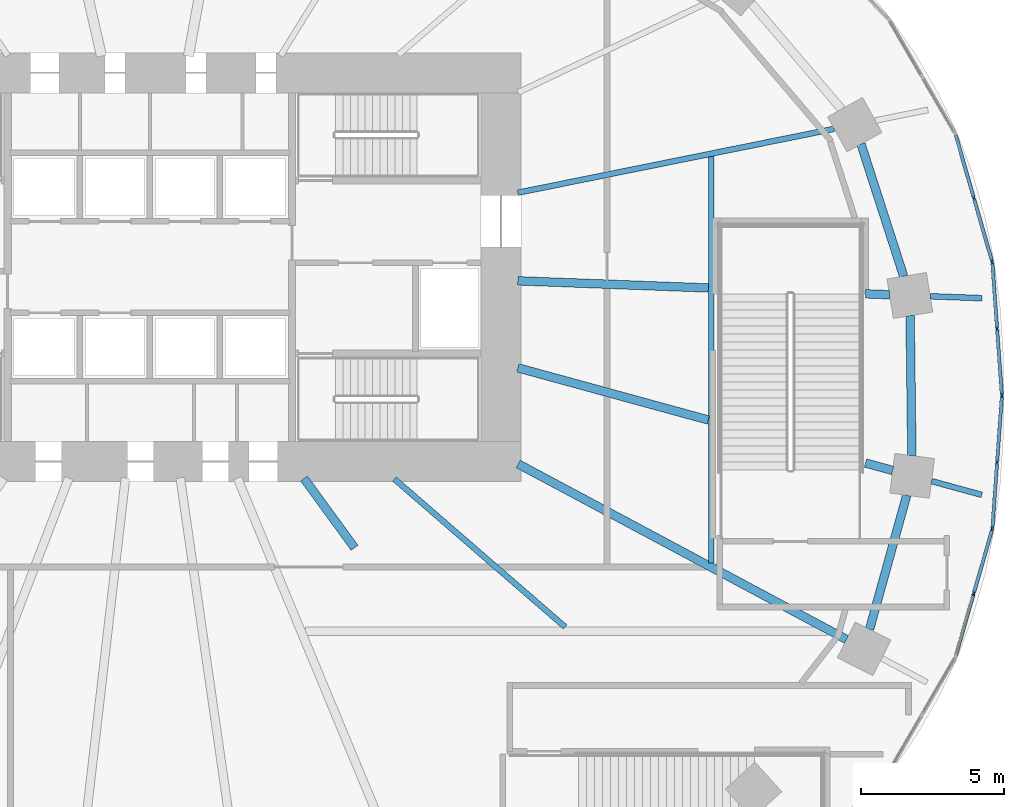
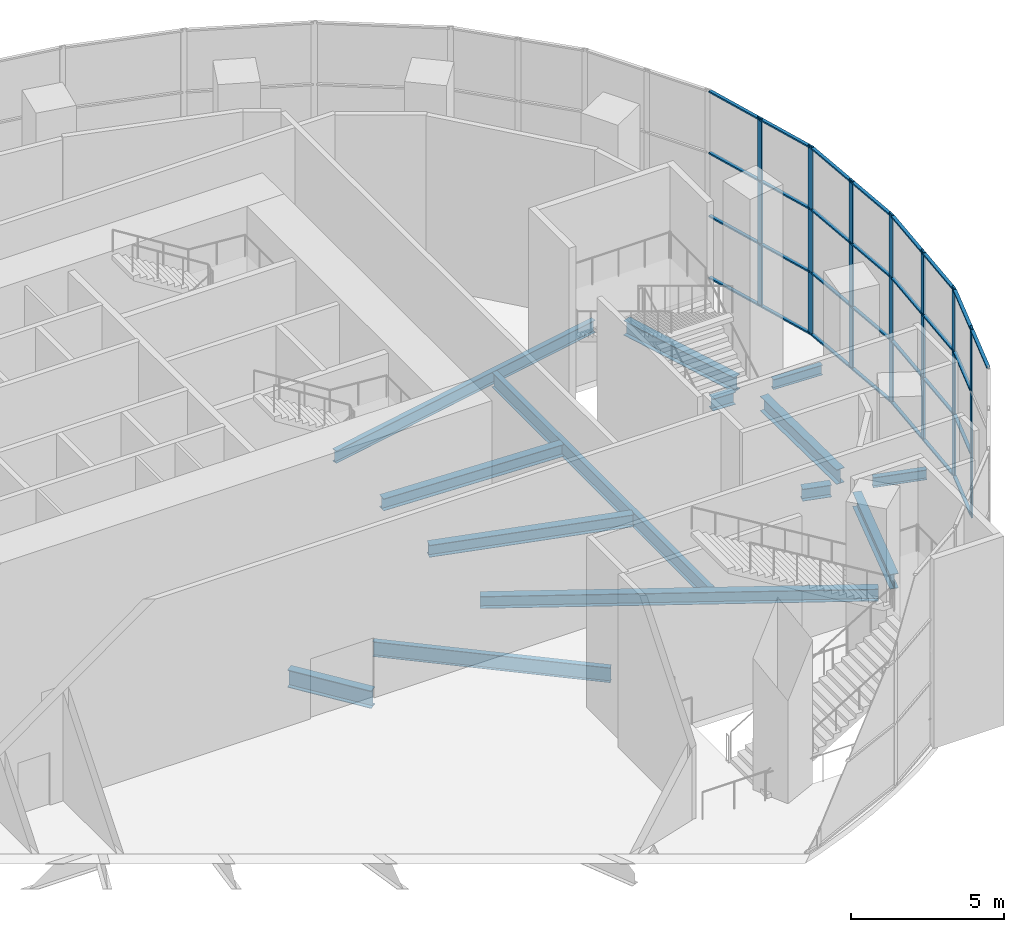
# One storey, part 6 of 22: 36 members, 14 beams, 4 elements without a shape of their own.
"""IFC4 building model written with IfcOpenShell, lengths in metres."""

from ifc_helpers import new_model, si_unit, direction, frame, origin, origin_2d, place, context, subcontext, project, spatial, rectangle, i_section, extrude, material, material_profile, profile_set, type_object, element, aggregate, save


model = new_model("IFC4")

# Units and contexts
model_context = context("Model", 3, precision=1e-05, world=origin(), true_north=direction((0.0, 1.0)))
body_context = subcontext(model_context, "Body", "Model", "MODEL_VIEW")
ifc_project = project(units=[si_unit("LENGTHUNIT", "METRE"), si_unit("AREAUNIT", "SQUARE_METRE"), si_unit("VOLUMEUNIT", "CUBIC_METRE"), si_unit("PLANEANGLEUNIT", "RADIAN"), si_unit("MASSUNIT", "GRAM", prefix="KILO")], contexts=[model_context])

# Site, building, storey
site_placement = place(None, origin())
site = spatial("IfcSite", under=ifc_project, at=site_placement, CompositionType="ELEMENT")
building_placement = place(site_placement, origin())
building = spatial("IfcBuilding", under=site, at=building_placement, Name="Rubra Terraces Tower", CompositionType="ELEMENT")
storey_placement = place(building_placement, frame((0.0, 0.0, 15.0)))
storey = spatial("IfcBuildingStorey", under=building, at=storey_placement, Name="L02", CompositionType="ELEMENT", Elevation=15.0)

# Beams
ifc_material_1 = material(Name="Steel Q355B", Category="steel")
ifc_material_profile_1 = material_profile(ifc_material_1, i_section(OverallWidth=0.199951171875, OverallDepth=0.39990234375, WebThickness=0.008056640625, FlangeThickness=0.012939453125, at=origin_2d()), Name="HN 400x200x8x13")
ifc_profile_set_1 = profile_set([ifc_material_profile_1], Name="Steel Q355B")
beam_type_1 = type_object("IfcBeamType", Name="CANTILEVER BEAM HN 400x200x8x13", PredefinedType="BEAM", material=ifc_profile_set_1)
beam_1_placement = place(storey_placement, frame((27.319091796875, 3.47607421875, -0.449951171875), z_axis=(0.999296482656, -0.037503863151, 0.0), x_axis=(0.037503863151, 0.999296482656, 0.0)))
element("IfcBeam", 1, at=beam_1_placement, inside=storey, type_object=beam_type_1, Name="beam-L02-cant-01", PredefinedType="BEAM", context=body_context, shape_type="SweptSolid", body=[
    extrude(i_section(OverallWidth=0.199951171875, OverallDepth=0.39990234375, WebThickness=0.008056640625, FlangeThickness=0.012939453125, at=origin_2d()), origin(), (0.0, 0.0, 1.0), 1.816162109375),
])
beam_2_placement = place(storey_placement, frame((27.365966796875, -2.9951171875, -0.449951171875), z_axis=(0.964481687863, -0.264149718489, 0.0), x_axis=(0.264149718489, 0.964481687863, 0.0)))
element("IfcBeam", 2, at=beam_2_placement, inside=storey, type_object=beam_type_1, Name="beam-L02-cant-24", PredefinedType="BEAM", context=body_context, shape_type="SweptSolid", body=[
    extrude(i_section(OverallWidth=0.199951171875, OverallDepth=0.39990234375, WebThickness=0.008056640625, FlangeThickness=0.012939453125, at=origin_2d()), origin(), (0.0, 0.0, 1.0), 1.82080078125),
])
ifc_material_profile_2 = material_profile(ifc_material_1, i_section(OverallWidth=0.300048828125, OverallDepth=0.48193359375, WebThickness=0.010986328125, FlangeThickness=0.014892578125, at=origin_2d()), Name="HM 482x300x11x15")
ifc_profile_set_2 = profile_set([ifc_material_profile_2], Name="Steel Q355B")
beam_type_2 = type_object("IfcBeamType", Name="FLOOR BEAM HM 482x300x11x15", PredefinedType="BEAM", material=ifc_profile_set_2)
beam_3_placement = place(storey_placement, frame((25.89111328125, 3.530029296875, -0.490966796875), z_axis=(-0.999321176912, 0.036839996943, 0.0), x_axis=(-0.036839996943, -0.999321176912, 0.0)))
element("IfcBeam", 3, at=beam_3_placement, inside=storey, type_object=beam_type_2, Name="beam-L02-floor-01-a", PredefinedType="BEAM", context=body_context, shape_type="SweptSolid", body=[
    extrude(i_section(OverallWidth=0.300048828125, OverallDepth=0.48193359375, WebThickness=0.010986328125, FlangeThickness=0.014892578125, at=origin_2d()), origin(), (0.0, 0.0, 1.0), 0.841552734375),
])
beam_4_placement = place(storey_placement, frame((19.550048828125, 3.76708984375, -0.490966796875), z_axis=(-0.99929835172, 0.037454028482, 0.0), x_axis=(-0.037454028482, -0.99929835172, 0.0)))
element("IfcBeam", 4, at=beam_4_placement, inside=storey, type_object=beam_type_2, Name="beam-L02-floor-01-b", PredefinedType="BEAM", context=body_context, shape_type="SweptSolid", body=[
    extrude(i_section(OverallWidth=0.300048828125, OverallDepth=0.48193359375, WebThickness=0.010986328125, FlangeThickness=0.014892578125, at=origin_2d()), origin(), (0.0, 0.0, 1.0), 6.6748046875),
])
beam_5_placement = place(storey_placement, frame((24.385009765625, -8.535888671875, -0.490966796875), z_axis=(-0.881896613876, 0.471442851716, 0.0), x_axis=(-0.471442851716, -0.881896613876, 0.0)))
element("IfcBeam", 5, at=beam_5_placement, inside=storey, type_object=beam_type_2, Name="beam-L02-floor-23", PredefinedType="BEAM", context=body_context, shape_type="SweptSolid", body=[
    extrude(i_section(OverallWidth=0.300048828125, OverallDepth=0.48193359375, WebThickness=0.010986328125, FlangeThickness=0.014892578125, at=origin_2d()), origin(), (0.0, 0.0, 1.0), 13.02978515625),
])
beam_6_placement = place(storey_placement, frame((26.001953125, -2.62109375, -0.490966796875), z_axis=(-0.964409050959, 0.264414792376, 0.0), x_axis=(-0.264414792376, -0.964409050959, 0.0)))
element("IfcBeam", 6, at=beam_6_placement, inside=storey, type_object=beam_type_2, Name="beam-L02-floor-24-a", PredefinedType="BEAM", context=body_context, shape_type="SweptSolid", body=[
    extrude(i_section(OverallWidth=0.300048828125, OverallDepth=0.48193359375, WebThickness=0.010986328125, FlangeThickness=0.014892578125, at=origin_2d()), origin(), (0.0, 0.0, 1.0), 0.987060546875),
])
beam_7_placement = place(storey_placement, frame((19.550048828125, -0.85498046875, -0.490966796875), z_axis=(-0.96447222005, 0.26418428559, 0.0), x_axis=(-0.26418428559, -0.96447222005, 0.0)))
element("IfcBeam", 7, at=beam_7_placement, inside=storey, type_object=beam_type_2, Name="beam-L02-floor-24-b", PredefinedType="BEAM", context=body_context, shape_type="SweptSolid", body=[
    extrude(i_section(OverallWidth=0.300048828125, OverallDepth=0.48193359375, WebThickness=0.010986328125, FlangeThickness=0.014892578125, at=origin_2d()), origin(), (0.0, 0.0, 1.0), 6.91162109375),
])
ifc_material_profile_3 = material_profile(ifc_material_1, i_section(OverallWidth=0.198974609375, OverallDepth=0.49609375, WebThickness=0.009033203125, FlangeThickness=0.013916015625, at=origin_2d()), Name="HN 496x199x9x14")
ifc_profile_set_3 = profile_set([ifc_material_profile_3], Name="Steel Q355B")
beam_type_3 = type_object("IfcBeamType", Name="FLOOR BEAM HN 496x199x9x14", PredefinedType="BEAM", material=ifc_profile_set_3)
beam_8_placement = place(storey_placement, frame((23.9560546875, 9.337890625, -0.498046875), z_axis=(-0.980204035637, -0.197990021264, 0.0), x_axis=(0.197990021264, -0.980204035637, 0.0)))
element("IfcBeam", 8, at=beam_8_placement, inside=storey, type_object=beam_type_3, Name="beam-L02-floor-02", PredefinedType="BEAM", context=body_context, shape_type="SweptSolid", body=[
    extrude(i_section(OverallWidth=0.198974609375, OverallDepth=0.49609375, WebThickness=0.009033203125, FlangeThickness=0.013916015625, at=origin_2d()), origin(), (0.0, 0.0, 1.0), 11.297607421875),
])
ifc_material_profile_4 = material_profile(ifc_material_1, i_section(OverallWidth=0.198974609375, OverallDepth=0.595947265625, WebThickness=0.010009765625, FlangeThickness=0.014892578125, at=origin_2d()), Name="HN 596x199x10x15")
ifc_profile_set_4 = profile_set([ifc_material_profile_4], Name="Steel Q355B")
beam_type_4 = type_object("IfcBeamType", Name="FLOOR BEAM HN 596x199x10x15", PredefinedType="BEAM", material=ifc_profile_set_4)
beam_9_placement = place(storey_placement, frame((14.5390625, -8.10009765625, -0.548095703125), z_axis=(-0.755693157297, 0.654925837033, 0.0), x_axis=(-0.654925837033, -0.755693157297, 0.0)))
element("IfcBeam", 9, at=beam_9_placement, inside=storey, type_object=beam_type_4, Name="beam-L02-floor-22-a", PredefinedType="BEAM", context=body_context, shape_type="SweptSolid", body=[
    extrude(i_section(OverallWidth=0.198974609375, OverallDepth=0.595947265625, WebThickness=0.010009765625, FlangeThickness=0.014892578125, at=origin_2d()), origin(), (0.0, 0.0, 1.0), 7.907958984375),
])
ifc_material_profile_5 = material_profile(ifc_material_1, i_section(OverallWidth=0.300048828125, OverallDepth=0.699951171875, WebThickness=0.012939453125, FlangeThickness=0.02392578125, at=origin_2d()), Name="HN 700x300x13x24")
ifc_profile_set_5 = profile_set([ifc_material_profile_5], Name="Steel Q355B")
beam_type_5 = type_object("IfcBeamType", Name="FLOOR BEAM HN 700x300x13x24", PredefinedType="BEAM", material=ifc_profile_set_5)
beam_10_placement = place(storey_placement, frame((7.1669921875, -5.326904296875, -0.60009765625), z_axis=(-0.589322677246, 0.807897754722, 0.0), x_axis=(-0.807897754722, -0.589322677246, 0.0)))
element("IfcBeam", 10, at=beam_10_placement, inside=storey, type_object=beam_type_5, Name="beam-L02-floor-21-a", PredefinedType="BEAM", context=body_context, shape_type="SweptSolid", body=[
    extrude(i_section(OverallWidth=0.300048828125, OverallDepth=0.699951171875, WebThickness=0.012939453125, FlangeThickness=0.02392578125, at=origin_2d()), origin(), (0.0, 0.0, 1.0), 3.000244140625),
])

# Curtain wall, members
ifc_material_2 = material(Name="Aluminium and glass", Category="aluminium")
curtain_wall_type = type_object("IfcCurtainWallType", Name="Curtain wall Podium glazing", PredefinedType="NOTDEFINED", material=ifc_material_2)
curtain_wall_1_placement = place(storey_placement, origin())
curtain_wall_1 = element("IfcCurtainWall", 11, at=curtain_wall_1_placement, inside=storey, type_object=curtain_wall_type, Name="L02 glazing bay 1", PredefinedType="NOTDEFINED")
ifc_material_3 = material(Name="Aluminium, anodised dark grey", Category="aluminium")
ifc_material_profile_6 = material_profile(ifc_material_3, rectangle(XDim=0.06005859375, YDim=0.199951171875, at=origin_2d()), Name="AL 60x200")
ifc_profile_set_6 = profile_set([ifc_material_profile_6], Name="Aluminium, anodised dark grey")
member_type_1 = type_object("IfcMemberType", Name="Podium glazing mullion 60 x 200", PredefinedType="MULLION", material=ifc_profile_set_6)
member_1_placement = place(storey_placement, frame((29.822998046875, 0.0244140625, 0.0), z_axis=(0.0, 0.0, 1.0), x_axis=(-0.997419621076, -0.071792057306, 0.0)))
member_1 = element("IfcMember", 12, at=member_1_placement, type_object=member_type_1, Name="CW1 mullion 1", PredefinedType="MULLION", context=body_context, shape_type="SweptSolid", body=[
    extrude(rectangle(XDim=0.06005859375, YDim=0.199951171875, at=origin_2d()), origin(), (0.0, 0.0, 1.0), 7.550048828125),
])
member_2_placement = place(storey_placement, frame((29.65673828125, 2.335693359375, 0.0), z_axis=(0.0, 0.0, 1.0), x_axis=(-0.997419621076, -0.071792057306, 0.0)))
member_2 = element("IfcMember", 13, at=member_2_placement, type_object=member_type_1, Name="CW1 mullion 2", PredefinedType="MULLION", context=body_context, shape_type="SweptSolid", body=[
    extrude(rectangle(XDim=0.06005859375, YDim=0.199951171875, at=origin_2d()), origin(), (0.0, 0.0, 1.0), 7.550048828125),
])

curtain_wall_2_placement = place(storey_placement, origin())
curtain_wall_2 = element("IfcCurtainWall", 14, at=curtain_wall_2_placement, inside=storey, type_object=curtain_wall_type, Name="L02 glazing bay 2", PredefinedType="NOTDEFINED")
member_3_placement = place(storey_placement, frame((29.482666015625, 4.690185546875, 0.0), z_axis=(0.0, 0.0, 1.0), x_axis=(-0.961047339404, -0.276383811798, 0.0)))
member_3 = element("IfcMember", 15, at=member_3_placement, type_object=member_type_1, Name="CW1 mullion 1", PredefinedType="MULLION", context=body_context, shape_type="SweptSolid", body=[
    extrude(rectangle(XDim=0.06005859375, YDim=0.199951171875, at=origin_2d()), origin(), (0.0, 0.0, 1.0), 7.550048828125),
])
member_4_placement = place(storey_placement, frame((28.843505859375, 6.912841796875, 0.0), z_axis=(0.0, 0.0, 1.0), x_axis=(-0.961047339404, -0.276383811798, 0.0)))
member_4 = element("IfcMember", 16, at=member_4_placement, type_object=member_type_1, Name="CW1 mullion 2", PredefinedType="MULLION", context=body_context, shape_type="SweptSolid", body=[
    extrude(rectangle(XDim=0.06005859375, YDim=0.199951171875, at=origin_2d()), origin(), (0.0, 0.0, 1.0), 7.550048828125),
])

# Curtain wall, member
curtain_wall_3_placement = place(storey_placement, origin())
curtain_wall_3 = element("IfcCurtainWall", 17, at=curtain_wall_3_placement, inside=storey, type_object=curtain_wall_type, Name="L02 glazing bay 39", PredefinedType="NOTDEFINED")
member_5_placement = place(storey_placement, frame((28.843505859375, -6.912841796875, 0.0), z_axis=(0.0, 0.0, 1.0), x_axis=(-0.961047339404, 0.276383811798, 0.0)))
member_5 = element("IfcMember", 18, at=member_5_placement, type_object=member_type_1, Name="CW1 mullion 2", PredefinedType="MULLION", context=body_context, shape_type="SweptSolid", body=[
    extrude(rectangle(XDim=0.06005859375, YDim=0.199951171875, at=origin_2d()), origin(), (0.0, 0.0, 1.0), 7.550048828125),
])

# Curtain wall, members
curtain_wall_4_placement = place(storey_placement, origin())
curtain_wall_4 = element("IfcCurtainWall", 19, at=curtain_wall_4_placement, inside=storey, type_object=curtain_wall_type, Name="L02 glazing bay 40", PredefinedType="NOTDEFINED")
member_6_placement = place(storey_placement, frame((29.490234375, -4.646728515625, 0.0), z_axis=(0.0, 0.0, 1.0), x_axis=(-0.997419621076, 0.071792057306, 0.0)))
member_6 = element("IfcMember", 20, at=member_6_placement, type_object=member_type_1, Name="CW1 mullion 1", PredefinedType="MULLION", context=body_context, shape_type="SweptSolid", body=[
    extrude(rectangle(XDim=0.06005859375, YDim=0.199951171875, at=origin_2d()), origin(), (0.0, 0.0, 1.0), 7.550048828125),
])
member_7_placement = place(storey_placement, frame((29.65673828125, -2.335693359375, 0.0), z_axis=(0.0, 0.0, 1.0), x_axis=(-0.997419621076, 0.071792057306, 0.0)))
member_7 = element("IfcMember", 21, at=member_7_placement, type_object=member_type_1, Name="CW1 mullion 2", PredefinedType="MULLION", context=body_context, shape_type="SweptSolid", body=[
    extrude(rectangle(XDim=0.06005859375, YDim=0.199951171875, at=origin_2d()), origin(), (0.0, 0.0, 1.0), 7.550048828125),
])

# Member
ifc_material_profile_7 = material_profile(ifc_material_3, rectangle(XDim=0.1201171875, YDim=0.06005859375, at=origin_2d()), Name="AL 120x60")
ifc_profile_set_7 = profile_set([ifc_material_profile_7], Name="Aluminium, anodised dark grey")
member_type_2 = type_object("IfcMemberType", Name="Podium glazing transom 120 x 60", PredefinedType="USERDEFINED", material=ifc_profile_set_7)
member_8_placement = place(storey_placement, frame((29.82080078125, 0.054443359375, 0.06005859375), z_axis=(-0.071715956886, 0.997425095698, 0.0), x_axis=(-0.997425095698, -0.071715956886, 0.0)))
member_8 = element("IfcMember", 22, at=member_8_placement, type_object=member_type_2, Name="CW1 transom 1.1", ObjectType="TRANSOM", PredefinedType="USERDEFINED", context=body_context, shape_type="SweptSolid", body=[
    extrude(rectangle(XDim=0.1201171875, YDim=0.06005859375, at=origin_2d()), origin(), (0.0, 0.0, 1.0), 2.257080078125),
])

member_9_placement = place(storey_placement, frame((29.82080078125, 0.054443359375, 2.5166015625), z_axis=(-0.071715956886, 0.997425095698, 0.0), x_axis=(-0.997425095698, -0.071715956886, 0.0)))
member_9 = element("IfcMember", 23, at=member_9_placement, type_object=member_type_2, Name="CW1 transom 1.2", ObjectType="TRANSOM", PredefinedType="USERDEFINED", context=body_context, shape_type="SweptSolid", body=[
    extrude(rectangle(XDim=0.1201171875, YDim=0.06005859375, at=origin_2d()), origin(), (0.0, 0.0, 1.0), 2.257080078125),
])

member_10_placement = place(storey_placement, frame((29.82080078125, 0.054443359375, 5.033203125), z_axis=(-0.071715956886, 0.997425095698, 0.0), x_axis=(-0.997425095698, -0.071715956886, 0.0)))
member_10 = element("IfcMember", 24, at=member_10_placement, type_object=member_type_2, Name="CW1 transom 1.3", ObjectType="TRANSOM", PredefinedType="USERDEFINED", context=body_context, shape_type="SweptSolid", body=[
    extrude(rectangle(XDim=0.1201171875, YDim=0.06005859375, at=origin_2d()), origin(), (0.0, 0.0, 1.0), 2.257080078125),
])

member_11_placement = place(storey_placement, frame((29.82080078125, 0.054443359375, 7.489990234375), z_axis=(-0.071715956886, 0.997425095698, 0.0), x_axis=(-0.997425095698, -0.071715956886, 0.0)))
member_11 = element("IfcMember", 25, at=member_11_placement, type_object=member_type_2, Name="CW1 transom 1.4", ObjectType="TRANSOM", PredefinedType="USERDEFINED", context=body_context, shape_type="SweptSolid", body=[
    extrude(rectangle(XDim=0.1201171875, YDim=0.06005859375, at=origin_2d()), origin(), (0.0, 0.0, 1.0), 2.257080078125),
])

member_12_placement = place(storey_placement, frame((29.654541015625, 2.365478515625, 0.06005859375), z_axis=(-0.071823568166, 0.997417352494, 0.0), x_axis=(-0.997417352494, -0.071823568166, 0.0)))
member_12 = element("IfcMember", 26, at=member_12_placement, type_object=member_type_2, Name="CW1 transom 2.1", ObjectType="TRANSOM", PredefinedType="USERDEFINED", context=body_context, shape_type="SweptSolid", body=[
    extrude(rectangle(XDim=0.1201171875, YDim=0.06005859375, at=origin_2d()), origin(), (0.0, 0.0, 1.0), 2.257080078125),
])

member_13_placement = place(storey_placement, frame((29.654541015625, 2.365478515625, 2.5166015625), z_axis=(-0.071823568166, 0.997417352494, 0.0), x_axis=(-0.997417352494, -0.071823568166, 0.0)))
member_13 = element("IfcMember", 27, at=member_13_placement, type_object=member_type_2, Name="CW1 transom 2.2", ObjectType="TRANSOM", PredefinedType="USERDEFINED", context=body_context, shape_type="SweptSolid", body=[
    extrude(rectangle(XDim=0.1201171875, YDim=0.06005859375, at=origin_2d()), origin(), (0.0, 0.0, 1.0), 2.257080078125),
])

member_14_placement = place(storey_placement, frame((29.654541015625, 2.365478515625, 5.033203125), z_axis=(-0.071823568166, 0.997417352494, 0.0), x_axis=(-0.997417352494, -0.071823568166, 0.0)))
member_14 = element("IfcMember", 28, at=member_14_placement, type_object=member_type_2, Name="CW1 transom 2.3", ObjectType="TRANSOM", PredefinedType="USERDEFINED", context=body_context, shape_type="SweptSolid", body=[
    extrude(rectangle(XDim=0.1201171875, YDim=0.06005859375, at=origin_2d()), origin(), (0.0, 0.0, 1.0), 2.257080078125),
])

member_15_placement = place(storey_placement, frame((29.654541015625, 2.365478515625, 7.489990234375), z_axis=(-0.071823568166, 0.997417352494, 0.0), x_axis=(-0.997417352494, -0.071823568166, 0.0)))
member_15 = element("IfcMember", 29, at=member_15_placement, type_object=member_type_2, Name="CW1 transom 2.4", ObjectType="TRANSOM", PredefinedType="USERDEFINED", context=body_context, shape_type="SweptSolid", body=[
    extrude(rectangle(XDim=0.1201171875, YDim=0.06005859375, at=origin_2d()), origin(), (0.0, 0.0, 1.0), 2.257080078125),
])

aggregate(curtain_wall_1, [member_1, member_2, member_8, member_9, member_10, member_11, member_12, member_13, member_14, member_15])

member_16_placement = place(storey_placement, frame((29.474365234375, 4.718994140625, 0.06005859375), z_axis=(-0.276352469421, 0.961056352481, 0.0), x_axis=(-0.961056352481, -0.276352469421, 0.0)))
member_16 = element("IfcMember", 30, at=member_16_placement, type_object=member_type_2, Name="CW1 transom 1.1", ObjectType="TRANSOM", PredefinedType="USERDEFINED", context=body_context, shape_type="SweptSolid", body=[
    extrude(rectangle(XDim=0.1201171875, YDim=0.06005859375, at=origin_2d()), origin(), (0.0, 0.0, 1.0), 2.252685546875),
])

member_17_placement = place(storey_placement, frame((29.474365234375, 4.718994140625, 2.5166015625), z_axis=(-0.276352469421, 0.961056352481, 0.0), x_axis=(-0.961056352481, -0.276352469421, 0.0)))
member_17 = element("IfcMember", 31, at=member_17_placement, type_object=member_type_2, Name="CW1 transom 1.2", ObjectType="TRANSOM", PredefinedType="USERDEFINED", context=body_context, shape_type="SweptSolid", body=[
    extrude(rectangle(XDim=0.1201171875, YDim=0.06005859375, at=origin_2d()), origin(), (0.0, 0.0, 1.0), 2.252685546875),
])

member_18_placement = place(storey_placement, frame((29.474365234375, 4.718994140625, 5.033203125), z_axis=(-0.276352469421, 0.961056352481, 0.0), x_axis=(-0.961056352481, -0.276352469421, 0.0)))
member_18 = element("IfcMember", 32, at=member_18_placement, type_object=member_type_2, Name="CW1 transom 1.3", ObjectType="TRANSOM", PredefinedType="USERDEFINED", context=body_context, shape_type="SweptSolid", body=[
    extrude(rectangle(XDim=0.1201171875, YDim=0.06005859375, at=origin_2d()), origin(), (0.0, 0.0, 1.0), 2.252685546875),
])

member_19_placement = place(storey_placement, frame((29.474365234375, 4.718994140625, 7.489990234375), z_axis=(-0.276352469421, 0.961056352481, 0.0), x_axis=(-0.961056352481, -0.276352469421, 0.0)))
member_19 = element("IfcMember", 33, at=member_19_placement, type_object=member_type_2, Name="CW1 transom 1.4", ObjectType="TRANSOM", PredefinedType="USERDEFINED", context=body_context, shape_type="SweptSolid", body=[
    extrude(rectangle(XDim=0.1201171875, YDim=0.06005859375, at=origin_2d()), origin(), (0.0, 0.0, 1.0), 2.252685546875),
])

member_20_placement = place(storey_placement, frame((28.835205078125, 6.941650390625, 0.06005859375), z_axis=(-0.276452561882, 0.961027565177, 0.0), x_axis=(-0.961027565177, -0.276452561882, 0.0)))
member_20 = element("IfcMember", 34, at=member_20_placement, type_object=member_type_2, Name="CW1 transom 2.1", ObjectType="TRANSOM", PredefinedType="USERDEFINED", context=body_context, shape_type="SweptSolid", body=[
    extrude(rectangle(XDim=0.1201171875, YDim=0.06005859375, at=origin_2d()), origin(), (0.0, 0.0, 1.0), 2.2529296875),
])

member_21_placement = place(storey_placement, frame((28.835205078125, 6.941650390625, 2.5166015625), z_axis=(-0.276452561882, 0.961027565177, 0.0), x_axis=(-0.961027565177, -0.276452561882, 0.0)))
member_21 = element("IfcMember", 35, at=member_21_placement, type_object=member_type_2, Name="CW1 transom 2.2", ObjectType="TRANSOM", PredefinedType="USERDEFINED", context=body_context, shape_type="SweptSolid", body=[
    extrude(rectangle(XDim=0.1201171875, YDim=0.06005859375, at=origin_2d()), origin(), (0.0, 0.0, 1.0), 2.2529296875),
])

member_22_placement = place(storey_placement, frame((28.835205078125, 6.941650390625, 5.033203125), z_axis=(-0.276452561882, 0.961027565177, 0.0), x_axis=(-0.961027565177, -0.276452561882, 0.0)))
member_22 = element("IfcMember", 36, at=member_22_placement, type_object=member_type_2, Name="CW1 transom 2.3", ObjectType="TRANSOM", PredefinedType="USERDEFINED", context=body_context, shape_type="SweptSolid", body=[
    extrude(rectangle(XDim=0.1201171875, YDim=0.06005859375, at=origin_2d()), origin(), (0.0, 0.0, 1.0), 2.2529296875),
])

member_23_placement = place(storey_placement, frame((28.835205078125, 6.941650390625, 7.489990234375), z_axis=(-0.276452561882, 0.961027565177, 0.0), x_axis=(-0.961027565177, -0.276452561882, 0.0)))
member_23 = element("IfcMember", 37, at=member_23_placement, type_object=member_type_2, Name="CW1 transom 2.4", ObjectType="TRANSOM", PredefinedType="USERDEFINED", context=body_context, shape_type="SweptSolid", body=[
    extrude(rectangle(XDim=0.1201171875, YDim=0.06005859375, at=origin_2d()), origin(), (0.0, 0.0, 1.0), 2.2529296875),
])

aggregate(curtain_wall_2, [member_3, member_4, member_16, member_17, member_18, member_19, member_20, member_21, member_22, member_23])

member_24_placement = place(storey_placement, frame((28.21240234375, -9.106689453125, 7.489990234375), z_axis=(0.276452561882, 0.961027565177, 0.0), x_axis=(-0.961027565177, 0.276452561882, 0.0)))
member_24 = element("IfcMember", 38, at=member_24_placement, type_object=member_type_2, Name="CW1 transom 1.4", ObjectType="TRANSOM", PredefinedType="USERDEFINED", context=body_context, shape_type="SweptSolid", body=[
    extrude(rectangle(XDim=0.1201171875, YDim=0.06005859375, at=origin_2d()), origin(), (0.0, 0.0, 1.0), 2.2529296875),
])

member_25_placement = place(storey_placement, frame((28.851806640625, -6.884033203125, 0.06005859375), z_axis=(0.276352469421, 0.961056352481, 0.0), x_axis=(-0.961056352481, 0.276352469421, 0.0)))
member_25 = element("IfcMember", 39, at=member_25_placement, type_object=member_type_2, Name="CW1 transom 2.1", ObjectType="TRANSOM", PredefinedType="USERDEFINED", context=body_context, shape_type="SweptSolid", body=[
    extrude(rectangle(XDim=0.1201171875, YDim=0.06005859375, at=origin_2d()), origin(), (0.0, 0.0, 1.0), 2.252685546875),
])

member_26_placement = place(storey_placement, frame((28.851806640625, -6.884033203125, 2.5166015625), z_axis=(0.276352469421, 0.961056352481, 0.0), x_axis=(-0.961056352481, 0.276352469421, 0.0)))
member_26 = element("IfcMember", 40, at=member_26_placement, type_object=member_type_2, Name="CW1 transom 2.2", ObjectType="TRANSOM", PredefinedType="USERDEFINED", context=body_context, shape_type="SweptSolid", body=[
    extrude(rectangle(XDim=0.1201171875, YDim=0.06005859375, at=origin_2d()), origin(), (0.0, 0.0, 1.0), 2.252685546875),
])

member_27_placement = place(storey_placement, frame((28.851806640625, -6.884033203125, 5.033203125), z_axis=(0.276352469421, 0.961056352481, 0.0), x_axis=(-0.961056352481, 0.276352469421, 0.0)))
member_27 = element("IfcMember", 41, at=member_27_placement, type_object=member_type_2, Name="CW1 transom 2.3", ObjectType="TRANSOM", PredefinedType="USERDEFINED", context=body_context, shape_type="SweptSolid", body=[
    extrude(rectangle(XDim=0.1201171875, YDim=0.06005859375, at=origin_2d()), origin(), (0.0, 0.0, 1.0), 2.252685546875),
])

member_28_placement = place(storey_placement, frame((28.851806640625, -6.884033203125, 7.489990234375), z_axis=(0.276352469421, 0.961056352481, 0.0), x_axis=(-0.961056352481, 0.276352469421, 0.0)))
member_28 = element("IfcMember", 42, at=member_28_placement, type_object=member_type_2, Name="CW1 transom 2.4", ObjectType="TRANSOM", PredefinedType="USERDEFINED", context=body_context, shape_type="SweptSolid", body=[
    extrude(rectangle(XDim=0.1201171875, YDim=0.06005859375, at=origin_2d()), origin(), (0.0, 0.0, 1.0), 2.252685546875),
])

aggregate(curtain_wall_3, [member_5, member_24, member_25, member_26, member_27, member_28])

member_29_placement = place(storey_placement, frame((29.492431640625, -4.61669921875, 0.06005859375), z_axis=(0.071823568166, 0.997417352494, 0.0), x_axis=(-0.997417352494, 0.071823568166, 0.0)))
member_29 = element("IfcMember", 43, at=member_29_placement, type_object=member_type_2, Name="CW1 transom 1.1", ObjectType="TRANSOM", PredefinedType="USERDEFINED", context=body_context, shape_type="SweptSolid", body=[
    extrude(rectangle(XDim=0.1201171875, YDim=0.06005859375, at=origin_2d()), origin(), (0.0, 0.0, 1.0), 2.257080078125),
])

member_30_placement = place(storey_placement, frame((29.492431640625, -4.61669921875, 2.5166015625), z_axis=(0.071823568166, 0.997417352494, 0.0), x_axis=(-0.997417352494, 0.071823568166, 0.0)))
member_30 = element("IfcMember", 44, at=member_30_placement, type_object=member_type_2, Name="CW1 transom 1.2", ObjectType="TRANSOM", PredefinedType="USERDEFINED", context=body_context, shape_type="SweptSolid", body=[
    extrude(rectangle(XDim=0.1201171875, YDim=0.06005859375, at=origin_2d()), origin(), (0.0, 0.0, 1.0), 2.257080078125),
])

member_31_placement = place(storey_placement, frame((29.492431640625, -4.61669921875, 5.033203125), z_axis=(0.071823568166, 0.997417352494, 0.0), x_axis=(-0.997417352494, 0.071823568166, 0.0)))
member_31 = element("IfcMember", 45, at=member_31_placement, type_object=member_type_2, Name="CW1 transom 1.3", ObjectType="TRANSOM", PredefinedType="USERDEFINED", context=body_context, shape_type="SweptSolid", body=[
    extrude(rectangle(XDim=0.1201171875, YDim=0.06005859375, at=origin_2d()), origin(), (0.0, 0.0, 1.0), 2.257080078125),
])

member_32_placement = place(storey_placement, frame((29.492431640625, -4.61669921875, 7.489990234375), z_axis=(0.071823568166, 0.997417352494, 0.0), x_axis=(-0.997417352494, 0.071823568166, 0.0)))
member_32 = element("IfcMember", 46, at=member_32_placement, type_object=member_type_2, Name="CW1 transom 1.4", ObjectType="TRANSOM", PredefinedType="USERDEFINED", context=body_context, shape_type="SweptSolid", body=[
    extrude(rectangle(XDim=0.1201171875, YDim=0.06005859375, at=origin_2d()), origin(), (0.0, 0.0, 1.0), 2.257080078125),
])

member_33_placement = place(storey_placement, frame((29.658935546875, -2.3056640625, 0.06005859375), z_axis=(0.071715956886, 0.997425095698, 0.0), x_axis=(-0.997425095698, 0.071715956886, 0.0)))
member_33 = element("IfcMember", 47, at=member_33_placement, type_object=member_type_2, Name="CW1 transom 2.1", ObjectType="TRANSOM", PredefinedType="USERDEFINED", context=body_context, shape_type="SweptSolid", body=[
    extrude(rectangle(XDim=0.1201171875, YDim=0.06005859375, at=origin_2d()), origin(), (0.0, 0.0, 1.0), 2.257080078125),
])

member_34_placement = place(storey_placement, frame((29.658935546875, -2.3056640625, 2.5166015625), z_axis=(0.071715956886, 0.997425095698, 0.0), x_axis=(-0.997425095698, 0.071715956886, 0.0)))
member_34 = element("IfcMember", 48, at=member_34_placement, type_object=member_type_2, Name="CW1 transom 2.2", ObjectType="TRANSOM", PredefinedType="USERDEFINED", context=body_context, shape_type="SweptSolid", body=[
    extrude(rectangle(XDim=0.1201171875, YDim=0.06005859375, at=origin_2d()), origin(), (0.0, 0.0, 1.0), 2.257080078125),
])

member_35_placement = place(storey_placement, frame((29.658935546875, -2.3056640625, 5.033203125), z_axis=(0.071715956886, 0.997425095698, 0.0), x_axis=(-0.997425095698, 0.071715956886, 0.0)))
member_35 = element("IfcMember", 49, at=member_35_placement, type_object=member_type_2, Name="CW1 transom 2.3", ObjectType="TRANSOM", PredefinedType="USERDEFINED", context=body_context, shape_type="SweptSolid", body=[
    extrude(rectangle(XDim=0.1201171875, YDim=0.06005859375, at=origin_2d()), origin(), (0.0, 0.0, 1.0), 2.257080078125),
])

member_36_placement = place(storey_placement, frame((29.658935546875, -2.3056640625, 7.489990234375), z_axis=(0.071715956886, 0.997425095698, 0.0), x_axis=(-0.997425095698, 0.071715956886, 0.0)))
member_36 = element("IfcMember", 50, at=member_36_placement, type_object=member_type_2, Name="CW1 transom 2.4", ObjectType="TRANSOM", PredefinedType="USERDEFINED", context=body_context, shape_type="SweptSolid", body=[
    extrude(rectangle(XDim=0.1201171875, YDim=0.06005859375, at=origin_2d()), origin(), (0.0, 0.0, 1.0), 2.257080078125),
])

aggregate(curtain_wall_4, [member_6, member_7, member_29, member_30, member_31, member_32, member_33, member_34, member_35, member_36])

# Beams
ifc_material_profile_8 = material_profile(ifc_material_1, i_section(OverallWidth=0.300048828125, OverallDepth=0.587890625, WebThickness=0.011962890625, FlangeThickness=0.02001953125, at=origin_2d()), Name="HM 588x300x12x20")
ifc_profile_set_8 = profile_set([ifc_material_profile_8], Name="Steel Q355B")
beam_type_6 = type_object("IfcBeamType", Name="SPANDREL BEAM HM 588x300x12x20", PredefinedType="SPANDREL", material=ifc_profile_set_8)
beam_11_placement = place(storey_placement, frame((26.387939453125, 4.177001953125, -0.5439453125), z_axis=(-0.30706880261, 0.951687317591, 0.0), x_axis=(-0.951687317591, -0.30706880261, 0.0)))
element("IfcBeam", 51, at=beam_11_placement, inside=storey, type_object=beam_type_6, Name="beam-L02-spandrel-01", PredefinedType="SPANDREL", context=body_context, shape_type="SweptSolid", body=[
    extrude(i_section(OverallWidth=0.300048828125, OverallDepth=0.587890625, WebThickness=0.011962890625, FlangeThickness=0.02001953125, at=origin_2d()), origin(), (0.0, 0.0, 1.0), 4.86181640625),
])
beam_12_placement = place(storey_placement, frame((25.194091796875, -8.177978515625, -0.5439453125), z_axis=(0.267364386726, 0.96359549849, 0.0), x_axis=(-0.96359549849, 0.267364386726, 0.0)))
element("IfcBeam", 52, at=beam_12_placement, inside=storey, type_object=beam_type_6, Name="beam-L02-spandrel-23", PredefinedType="SPANDREL", context=body_context, shape_type="SweptSolid", body=[
    extrude(i_section(OverallWidth=0.300048828125, OverallDepth=0.587890625, WebThickness=0.011962890625, FlangeThickness=0.02001953125, at=origin_2d()), origin(), (0.0, 0.0, 1.0), 4.8662109375),
])
beam_13_placement = place(storey_placement, frame((26.675048828125, -2.10107421875, -0.5439453125), z_axis=(-0.012465372298, 0.999922304228, 0.0), x_axis=(-0.999922304228, -0.012465372298, 0.0)))
element("IfcBeam", 53, at=beam_13_placement, inside=storey, type_object=beam_type_6, Name="beam-L02-spandrel-24", PredefinedType="SPANDREL", context=body_context, shape_type="SweptSolid", body=[
    extrude(i_section(OverallWidth=0.300048828125, OverallDepth=0.587890625, WebThickness=0.011962890625, FlangeThickness=0.02001953125, at=origin_2d()), origin(), (0.0, 0.0, 1.0), 4.896484375),
])
ifc_material_profile_9 = material_profile(ifc_material_1, i_section(OverallWidth=0.198974609375, OverallDepth=0.595947265625, WebThickness=0.010009765625, FlangeThickness=0.014892578125, at=origin_2d()), Name="HN 596x199x10x15")
ifc_profile_set_9 = profile_set([ifc_material_profile_9], Name="Steel Q355B")
beam_type_7 = type_object("IfcBeamType", Name="TRIMMER BEAM HN 596x199x10x15", PredefinedType="BEAM", material=ifc_profile_set_9)
beam_14_placement = place(storey_placement, frame((19.64990234375, -5.85400390625, -0.548095703125), z_axis=(0.0, 1.0, 0.0), x_axis=(-1.0, 0.0, 0.0)))
element("IfcBeam", 54, at=beam_14_placement, inside=storey, type_object=beam_type_7, Name="beam-L02-header-2-xlo", PredefinedType="BEAM", context=body_context, shape_type="SweptSolid", body=[
    extrude(i_section(OverallWidth=0.198974609375, OverallDepth=0.595947265625, WebThickness=0.010009765625, FlangeThickness=0.014892578125, at=origin_2d()), origin(), (0.0, 0.0, 1.0), 14.222900390625),
])

save(model, "model.ifc")
